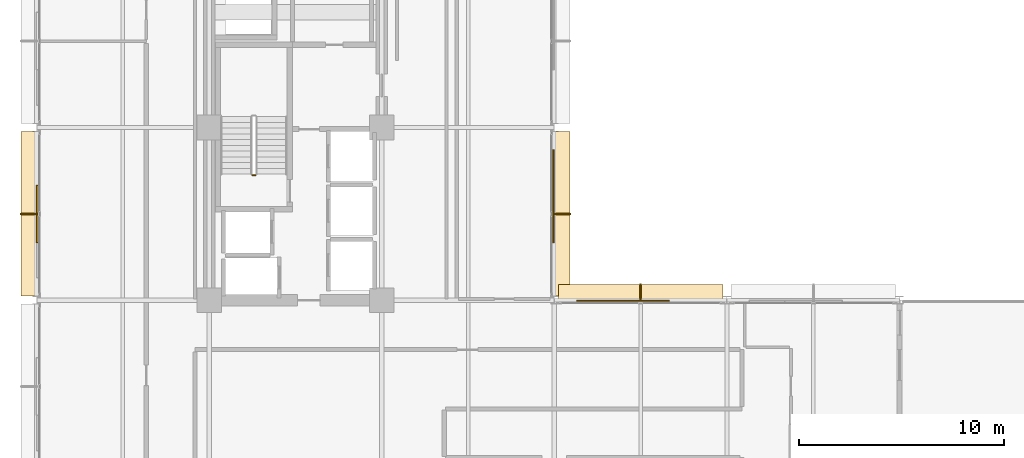
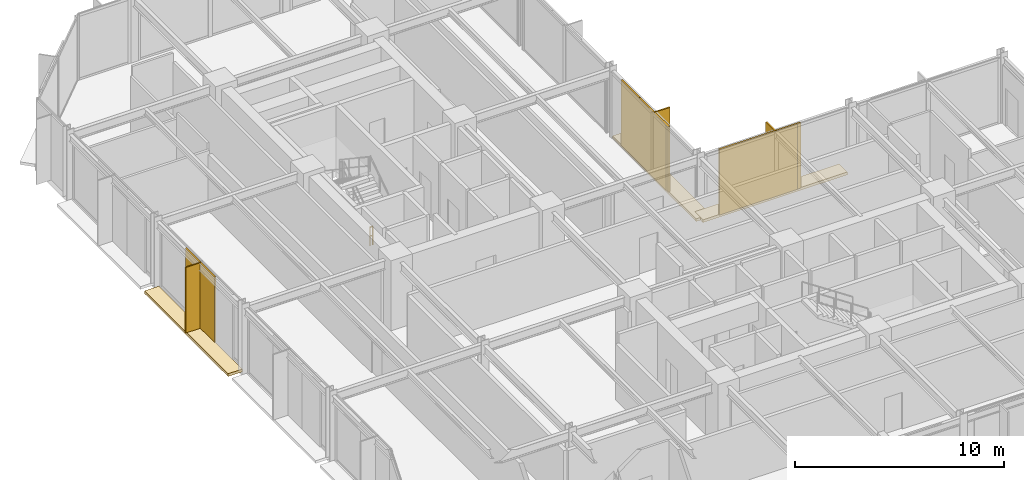
# One storey, part 23 of 25: 6 shading devices, 5 coverings, 1 railing.
"""IFC4 building model written with IfcOpenShell, lengths in metres."""

from ifc_helpers import new_model, si_unit, direction, frame, origin, origin_2d, place, context, subcontext, project, spatial, polyline, rectangle, circle, outline, extrude, material, layer, layer_set, type_object, element, save


model = new_model("IFC4")

# Units and contexts
model_context = context("Model", 3, precision=1e-05, world=origin(), true_north=direction((0.0, 1.0)))
body_context = subcontext(model_context, "Body", "Model", "MODEL_VIEW")
ifc_project = project(units=[si_unit("LENGTHUNIT", "METRE"), si_unit("AREAUNIT", "SQUARE_METRE"), si_unit("VOLUMEUNIT", "CUBIC_METRE"), si_unit("PLANEANGLEUNIT", "RADIAN"), si_unit("MASSUNIT", "GRAM", prefix="KILO")], contexts=[model_context])

# Site, building, storey
site_placement = place(None, origin())
site = spatial("IfcSite", under=ifc_project, at=site_placement, CompositionType="ELEMENT")
building_placement = place(site_placement, origin())
building = spatial("IfcBuilding", under=site, at=building_placement, Name="Nerrivon Quay Data Exchange", CompositionType="ELEMENT")
storey_placement = place(building_placement, frame((0.0, 0.0, 113.10009765625)))
storey = spatial("IfcBuildingStorey", under=building, at=storey_placement, Name="L26", CompositionType="ELEMENT", Elevation=113.10009765625)

# Coverings
ifc_material_1 = material(Name="Architectural terracotta ceramic", Category="masonry")
ifc_layer_1 = layer(ifc_material_1, 0.159912109375)
ifc_layer_set_1 = layer_set([ifc_layer_1], Name="Architectural terracotta ceramic")
covering_type_1 = type_object("IfcCoveringType", Name="COV-BLD-TERR", PredefinedType="CLADDING", material=ifc_layer_set_1)
covering_1_placement = place(storey_placement, frame((0.0, 0.0, -0.16015625)))
element("IfcCovering", 1, at=covering_1_placement, inside=storey, type_object=covering_type_1, Name="L26 Horizontal Terracotta SOLAR SCREEN Blade", PredefinedType="CLADDING", context=body_context, shape_type="SweptSolid", body=[
    extrude(outline(polyline([(0.0400390625, 25.39990234375), (0.0400390625, 33.39990234375), (-0.75, 33.39990234375), (-0.75, 25.39990234375), (0.0400390625, 25.39990234375)])), origin(), (0.0, 0.0, 1.0), 0.16015625),
])
covering_2_placement = place(storey_placement, frame((0.0, 0.0, -0.16015625)))
element("IfcCovering", 2, at=covering_2_placement, inside=storey, type_object=covering_type_1, Name="L26 Horizontal Terracotta SOLAR SCREEN Blade", PredefinedType="CLADDING", context=body_context, shape_type="SweptSolid", body=[
    extrude(outline(polyline([(25.159912109375, 33.39990234375), (25.159912109375, 25.39990234375), (25.949951171875, 25.39990234375), (25.949951171875, 33.39990234375), (25.159912109375, 33.39990234375)])), origin(), (0.0, 0.0, 1.0), 0.16015625),
])
covering_3_placement = place(storey_placement, frame((0.0, 0.0, -0.16015625)))
element("IfcCovering", 3, at=covering_3_placement, inside=storey, type_object=covering_type_1, Name="L26 Horizontal Terracotta SOLAR SCREEN Blade", PredefinedType="CLADDING", context=body_context, shape_type="SweptSolid", body=[
    extrude(outline(polyline([(25.39990234375, 25.159912109375), (33.39990234375, 25.159912109375), (33.39990234375, 25.949951171875), (25.39990234375, 25.949951171875), (25.39990234375, 25.159912109375)])), origin(), (0.0, 0.0, 1.0), 0.16015625),
])
ifc_layer_2 = layer(ifc_material_1, 0.090087890625)
ifc_layer_set_2 = layer_set([ifc_layer_2], Name="Architectural terracotta ceramic")
covering_type_2 = type_object("IfcCoveringType", Name="COV-SCR-TERR", PredefinedType="CLADDING", material=ifc_layer_set_2)
for number, where, z_axis, x_axis, name in (
    (4, (25.155029296875, 30.360107421875, 0.0), (0.0, 0.0, 1.0), (0.0, -1.0, 0.0), "L26 Perforated Terracotta SOLAR SCREEN Cassette"),
    (5, (28.43994140625, 25.155029296875, 0.0), (0.0, 0.0, 1.0), (1.0, 0.0, 0.0), "L26 Perforated Terracotta SOLAR SCREEN Cassette"),
):
    element("IfcCovering", number, at=place(storey_placement, frame(where, z_axis=z_axis, x_axis=x_axis)), inside=storey, type_object=covering_type_2, Name=name, PredefinedType="CLADDING", context=body_context, shape_type="SweptSolid", body=[
        extrude(rectangle(XDim=4.320068359375, YDim=0.090087890625, at=origin_2d()), origin(), (0.0, 0.0, 1.0), 3.824951171875),
    ])

# Railing
ifc_material_2 = material(Name="Steel Grade C350L0 (350 MPa)", Category="steel")
railing_type = type_object("IfcRailingType", Name="RAIL-STAIR-GR1", PredefinedType="BALUSTRADE", material=ifc_material_2)
railing_placement = place(storey_placement, frame((10.64990234375, 31.280029296875, 0.0)))
element("IfcRailing", 6, at=railing_placement, inside=storey, type_object=railing_type, Name="L26 ST01 stair guard 4", PredefinedType="BALUSTRADE", context=body_context, shape_type="SweptSolid", body=[
    extrude(circle(Radius=0.02392578125, at=origin_2d()), frame((0.0, 0.0, 1.076171875), z_axis=(-1.0, 0.0, 0.0), x_axis=(0.0, -1.0, 0.0)), (0.0, 0.0, 1.0), 0.14990234375),
    extrude(circle(Radius=0.02392578125, at=origin_2d()), frame((0.0, 0.0, 0.550048828125), z_axis=(-1.0, 0.0, 0.0), x_axis=(0.0, -1.0, 0.0)), (0.0, 0.0, 1.0), 0.14990234375),
    extrude(circle(Radius=0.02099609375, at=origin_2d()), origin(), (0.0, 0.0, 1.0), 1.052001953125),
    extrude(circle(Radius=0.02099609375, at=origin_2d()), frame((-0.14990234375, 0.0, 0.0)), (0.0, 0.0, 1.0), 1.052001953125),
])

# Shading devices
ifc_layer_3 = layer(ifc_material_1, 0.074951171875)
ifc_layer_set_3 = layer_set([ifc_layer_3], Name="Architectural terracotta ceramic")
shading_device_type_1 = type_object("IfcShadingDeviceType", Name="SHD-FIN-SS02", PredefinedType="USERDEFINED", material=ifc_layer_set_3)
for number, where, z_axis, x_axis, name in (
    (7, (-0.3798828125, 29.39990234375, 0.0), (0.0, 0.0, 1.0), (0.0, 1.0, 0.0), "L26 Subtropical Solar Fin Blade 15"),
    (8, (25.580078125, 29.39990234375, 0.0), (0.0, 0.0, 1.0), (0.0, -1.0, 0.0), "L26 Subtropical Solar Fin Blade 26"),
    (9, (29.39990234375, 25.580078125, 0.0), (0.0, 0.0, 1.0), (1.0, 0.0, 0.0), "L26 Subtropical Solar Fin Blade 27"),
):
    element("IfcShadingDevice", number, at=place(storey_placement, frame(where, z_axis=z_axis, x_axis=x_axis)), inside=storey, type_object=shading_device_type_1, Name=name, ObjectType="FIN", PredefinedType="USERDEFINED", context=body_context, shape_type="SweptSolid", body=[
        extrude(rectangle(XDim=0.074951171875, YDim=0.85009765625, at=origin_2d()), origin(), (0.0, 0.0, 1.0), 3.824951171875),
    ])
ifc_layer_4 = layer(ifc_material_1, 0.0849609375)
ifc_layer_set_4 = layer_set([ifc_layer_4], Name="Architectural terracotta ceramic")
shading_device_type_2 = type_object("IfcShadingDeviceType", Name="SHD-SCR-SS01", PredefinedType="USERDEFINED", material=ifc_layer_set_4)
for number, where, z_axis, x_axis, name in (
    (10, (0.0400390625, 29.39990234375, 0.0), (0.0, 0.0, 1.0), (0.0, 1.0, 0.0), "L26 Perforated Terracotta Solar Screen 15"),
    (11, (25.159912109375, 29.39990234375, 0.0), (0.0, 0.0, 1.0), (0.0, -1.0, 0.0), "L26 Perforated Terracotta Solar Screen 26"),
    (12, (29.39990234375, 25.159912109375, 0.0), (0.0, 0.0, 1.0), (1.0, 0.0, 0.0), "L26 Perforated Terracotta Solar Screen 27"),
):
    element("IfcShadingDevice", number, at=place(storey_placement, frame(where, z_axis=z_axis, x_axis=x_axis)), inside=storey, type_object=shading_device_type_2, Name=name, ObjectType="SCREEN", PredefinedType="USERDEFINED", context=body_context, shape_type="SweptSolid", body=[
        extrude(rectangle(XDim=2.800048828125, YDim=0.0849609375, at=origin_2d()), origin(), (0.0, 0.0, 1.0), 3.824951171875),
    ])

save(model, "model.ifc")
